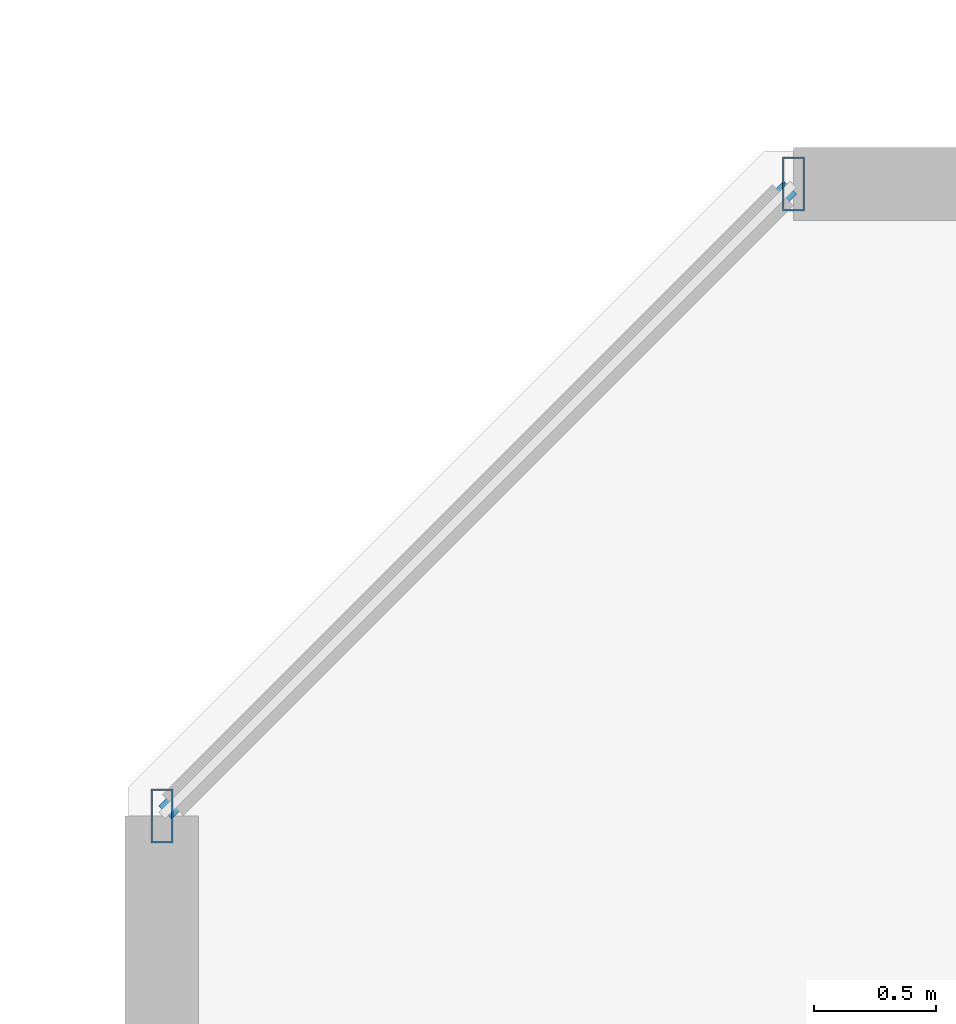
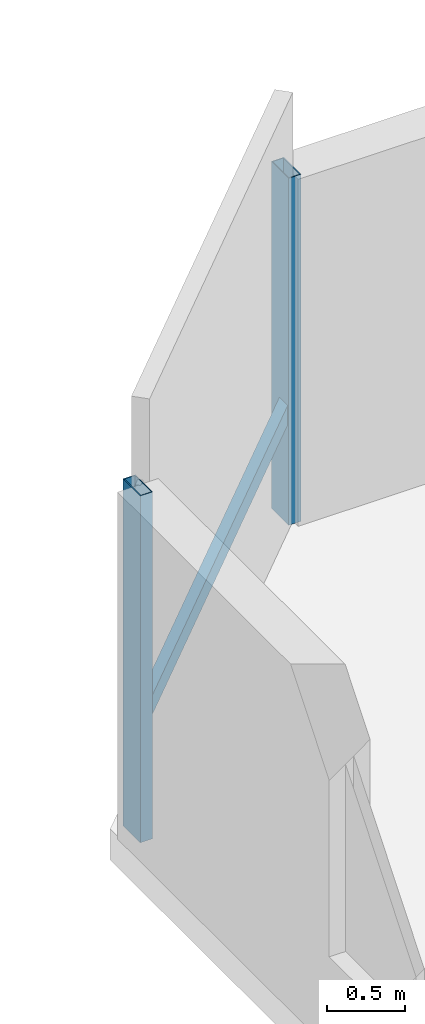
# One storey, part 15 of 33: 3 members, 1 element without a shape of its own.
"""IFC4 building model written with IfcOpenShell, lengths in metres."""

from ifc_helpers import new_model, si_unit, direction, frame, origin, origin_2d, place, context, subcontext, project, spatial, hollow_rectangle, extrude, material, material_profile, profile_set, type_object, element, aggregate, save


model = new_model("IFC4")

# Units and contexts
model_context = context("Model", 3, precision=1e-05, world=origin(), true_north=direction((0.0, 1.0)))
body_context = subcontext(model_context, "Body", "Model", "MODEL_VIEW")
ifc_project = project(units=[si_unit("LENGTHUNIT", "METRE"), si_unit("AREAUNIT", "SQUARE_METRE"), si_unit("VOLUMEUNIT", "CUBIC_METRE"), si_unit("PLANEANGLEUNIT", "RADIAN"), si_unit("MASSUNIT", "GRAM", prefix="KILO")], contexts=[model_context])

# Site, building, storey
site_placement = place(None, origin())
site = spatial("IfcSite", under=ifc_project, at=site_placement, CompositionType="ELEMENT")
building_placement = place(site_placement, origin())
building = spatial("IfcBuilding", under=site, at=building_placement, Name="Thornwick Lancets Civic Towers", CompositionType="ELEMENT")
storey_placement = place(building_placement, frame((0.0, 0.0, 112.5)))
storey = spatial("IfcBuildingStorey", under=building, at=storey_placement, Name="L29", CompositionType="ELEMENT", Elevation=112.5)

# Curtain wall, members
ifc_material_1 = material(Name="Low-zone chamfered-corner unitised glass curtain wall", Category="glass")
curtain_wall_type = type_object("IfcCurtainWallType", Name="CW_SYS_03", PredefinedType="NOTDEFINED", material=ifc_material_1)
curtain_wall_placement = place(storey_placement, origin())
curtain_wall = element("IfcCurtainWall", 1, at=curtain_wall_placement, inside=storey, type_object=curtain_wall_type, Name="L29 Curtain Wall CW-L29-B-E5", PredefinedType="NOTDEFINED")
ifc_material_2 = material(Name="Thermally broken bronze aluminium S355", Category="steel")
ifc_material_profile_1 = material_profile(ifc_material_2, hollow_rectangle(XDim=0.090087890625, YDim=0.219970703125, WallThickness=0.00634765625, at=origin_2d()), Name="RHS 220x90x6.3")
ifc_profile_set_1 = profile_set([ifc_material_profile_1], Name="Thermally broken bronze aluminium S355")
member_type_1 = type_object("IfcMemberType", Name="CW_MUL_220", PredefinedType="MULLION", material=ifc_profile_set_1)
member_1_placement = place(storey_placement, frame((67.11865234375, 44.964599609375, 0.0), z_axis=(0.0, 0.0, 1.0), x_axis=(1.0, 0.0, 0.0)))
member_1 = element("IfcMember", 2, at=member_1_placement, type_object=member_type_1, Name="CW-L29-B-E5 Mullion 0", PredefinedType="MULLION", context=body_context, shape_type="SweptSolid", body=[
    extrude(hollow_rectangle(XDim=0.090087890625, YDim=0.219970703125, WallThickness=0.00634765625, at=origin_2d()), origin(), (0.0, 0.0, 1.0), 2.699951171875),
])
member_2_placement = place(storey_placement, frame((64.535400390625, 42.38134765625, 0.0), z_axis=(0.0, 0.0, 1.0), x_axis=(1.0, 0.0, 0.0)))
member_2 = element("IfcMember", 3, at=member_2_placement, type_object=member_type_1, Name="CW-L29-B-E5 Mullion 1", PredefinedType="MULLION", context=body_context, shape_type="SweptSolid", body=[
    extrude(hollow_rectangle(XDim=0.090087890625, YDim=0.219970703125, WallThickness=0.00634765625, at=origin_2d()), origin(), (0.0, 0.0, 1.0), 2.699951171875),
])
ifc_material_profile_2 = material_profile(ifc_material_2, hollow_rectangle(XDim=0.074951171875, YDim=0.14990234375, WallThickness=0.0048828125, at=origin_2d()), Name="RHS 150x75x5")
ifc_profile_set_2 = profile_set([ifc_material_profile_2], Name="Thermally broken bronze aluminium S355")
member_type_2 = type_object("IfcMemberType", Name="CW_TRN_150", PredefinedType="USERDEFINED", material=ifc_profile_set_2)
member_3_placement = place(storey_placement, frame((67.1044921875, 44.95068359375, 0.85009765625), z_axis=(-0.707106781187, -0.707106781187, 0.0), x_axis=(0.707106781187, -0.707106781187, 0.0)))
member_3 = element("IfcMember", 4, at=member_3_placement, type_object=member_type_2, Name="CW-L29-B-E5 Transom 0", ObjectType="TRANSOM", PredefinedType="USERDEFINED", context=body_context, shape_type="SweptSolid", body=[
    extrude(hollow_rectangle(XDim=0.074951171875, YDim=0.14990234375, WallThickness=0.0048828125, at=origin_2d()), origin(), (0.0, 0.0, 1.0), 3.613525390625),
])
aggregate(curtain_wall, [member_1, member_2, member_3])

save(model, "model.ifc")
